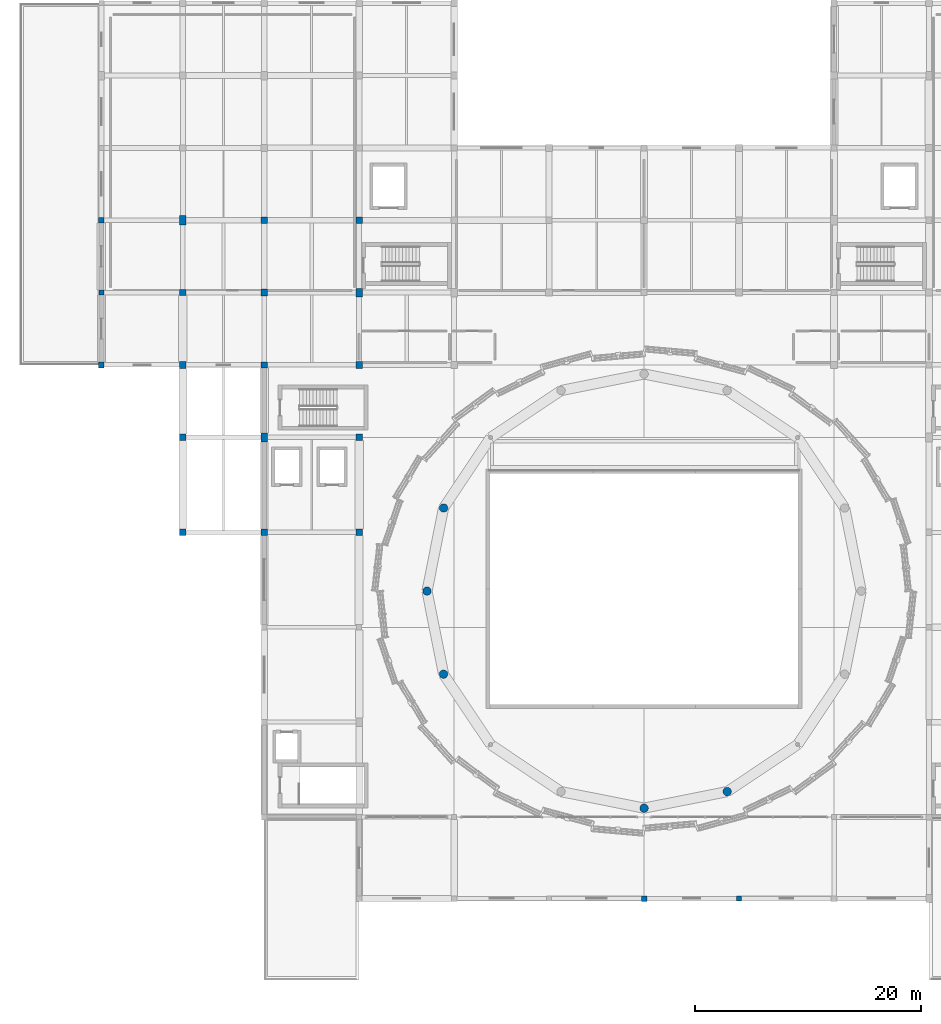
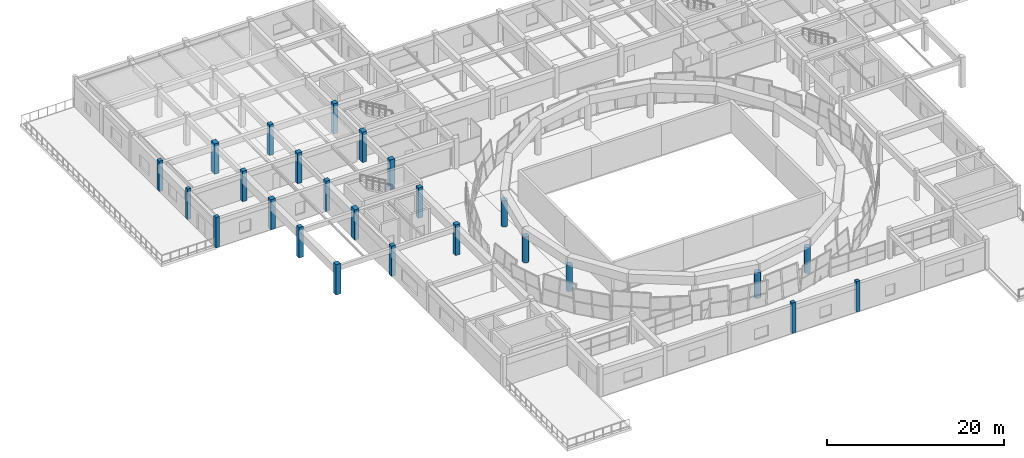
# One storey, part 2 of 40: 25 columns.
"""IFC4 building model written with IfcOpenShell, lengths in metres."""

from ifc_helpers import new_model, si_unit, direction, frame, origin, origin_2d, place, context, subcontext, project, spatial, rectangle, circle, extrude, material, material_profile, profile_set, type_object, element, save


model = new_model("IFC4")

# Units and contexts
model_context = context("Model", 3, precision=1e-05, world=origin(), true_north=direction((0.0, 1.0)))
body_context = subcontext(model_context, "Body", "Model", "MODEL_VIEW")
ifc_project = project(units=[si_unit("LENGTHUNIT", "METRE"), si_unit("AREAUNIT", "SQUARE_METRE"), si_unit("VOLUMEUNIT", "CUBIC_METRE"), si_unit("PLANEANGLEUNIT", "RADIAN"), si_unit("MASSUNIT", "GRAM", prefix="KILO")], contexts=[model_context])

# Site, building, storey
site_placement = place(None, origin())
site = spatial("IfcSite", under=ifc_project, at=site_placement, CompositionType="ELEMENT")
building_placement = place(site_placement, origin())
building = spatial("IfcBuilding", under=site, at=building_placement, Name="Korsvaeld Concert Hall", CompositionType="ELEMENT")
storey_placement = place(building_placement, frame((0.0, 0.0, 13.199951171875)))
storey = spatial("IfcBuildingStorey", under=building, at=storey_placement, Name="L03", CompositionType="ELEMENT", Elevation=13.199951171875)

# Columns
ifc_material = material(Name="Concrete C40/50", Category="concrete")
ifc_material_profile_1 = material_profile(ifc_material, circle(Radius=0.375, at=origin_2d()), Name="RC D750")
ifc_profile_set_1 = profile_set([ifc_material_profile_1], Name="Concrete C40/50")
column_type_1 = type_object("IfcColumnType", Name="COL-DRUM-D750", PredefinedType="COLUMN", material=ifc_profile_set_1)
for number, where, z_axis, x_axis, name in (
    (1, (66.261474609375, 70.547607421875, 0.0), (0.0, 0.0, 1.0), (1.0, 0.0, 0.0), "Drum column D08 L03"),
    (2, (64.800048828125, 63.199951171875, 0.0), (0.0, 0.0, 1.0), (1.0, 0.0, 0.0), "Drum column D09 L03"),
    (3, (66.261474609375, 55.8525390625, 0.0), (0.0, 0.0, 1.0), (1.0, 0.0, 0.0), "Drum column D10 L03"),
    (4, (84.0, 44.0, 0.0), (0.0, 0.0, 1.0), (1.0, 0.0, 0.0), "Drum column D13 L03"),
    (5, (91.347412109375, 45.46142578125, 0.0), (0.0, 0.0, 1.0), (1.0, 0.0, 0.0), "Drum column D14 L03"),
):
    element("IfcColumn", number, at=place(storey_placement, frame(where, z_axis=z_axis, x_axis=x_axis)), inside=storey, type_object=column_type_1, Name=name, PredefinedType="COLUMN", context=body_context, shape_type="SweptSolid", body=[
        extrude(circle(Radius=0.375, at=origin_2d()), origin(), (0.0, 0.0, 1.0), 3.60009765625),
    ])
ifc_material_profile_2 = material_profile(ifc_material, rectangle(XDim=0.449951171875, YDim=0.449951171875, at=origin_2d()), Name="RC 450x450")
ifc_profile_set_2 = profile_set([ifc_material_profile_2], Name="Concrete C40/50")
column_type_2 = type_object("IfcColumnType", Name="COL-RC-450x450", PredefinedType="COLUMN", material=ifc_profile_set_2)
for number, where, z_axis, x_axis, name in (
    (6, (92.39990234375, 36.0, 0.0), (0.0, 0.0, 1.0), (1.0, 0.0, 0.0), "Column 13/F L03"),
    (7, (36.0, 89.60009765625, 0.0), (0.0, 0.0, 1.0), (1.0, 0.0, 0.0), "Column 6/N L03"),
):
    element("IfcColumn", number, at=place(storey_placement, frame(where, z_axis=z_axis, x_axis=x_axis)), inside=storey, type_object=column_type_2, Name=name, PredefinedType="COLUMN", context=body_context, shape_type="SweptSolid", body=[
        extrude(rectangle(XDim=0.449951171875, YDim=0.449951171875, at=origin_2d()), origin(), (0.0, 0.0, 1.0), 4.199951171875),
    ])
ifc_material_profile_3 = material_profile(ifc_material, rectangle(XDim=0.5, YDim=0.5, at=origin_2d()), Name="RC 500x500")
ifc_profile_set_3 = profile_set([ifc_material_profile_3], Name="Concrete C40/50")
column_type_3 = type_object("IfcColumnType", Name="COL-RC-500x500", PredefinedType="COLUMN", material=ifc_profile_set_3)
for number, where, z_axis, x_axis, name in (
    (8, (84.0, 36.0, 0.0), (0.0, 0.0, 1.0), (1.0, 0.0, 0.0), "Column 12/F L03"),
    (9, (36.0, 83.199951171875, 0.0), (0.0, 0.0, 1.0), (1.0, 0.0, 0.0), "Column 6/M L03"),
    (10, (36.0, 96.0, 0.0), (0.0, 0.0, 1.0), (1.0, 0.0, 0.0), "Column 6/P L03"),
):
    element("IfcColumn", number, at=place(storey_placement, frame(where, z_axis=z_axis, x_axis=x_axis)), inside=storey, type_object=column_type_3, Name=name, PredefinedType="COLUMN", context=body_context, shape_type="SweptSolid", body=[
        extrude(rectangle(XDim=0.5, YDim=0.5, at=origin_2d()), origin(), (0.0, 0.0, 1.0), 4.199951171875),
    ])
ifc_material_profile_4 = material_profile(ifc_material, rectangle(XDim=0.550048828125, YDim=0.550048828125, at=origin_2d()), Name="RC 550x550")
ifc_profile_set_4 = profile_set([ifc_material_profile_4], Name="Concrete C40/50")
column_type_4 = type_object("IfcColumnType", Name="COL-RC-550x550", PredefinedType="COLUMN", material=ifc_profile_set_4)
for number, where, z_axis, x_axis, name in (
    (11, (43.199951171875, 76.800048828125, 0.0), (0.0, 0.0, 1.0), (1.0, 0.0, 0.0), "Column 7/L L03"),
    (12, (43.199951171875, 89.60009765625, 0.0), (0.0, 0.0, 1.0), (1.0, 0.0, 0.0), "Column 7/N L03"),
    (13, (50.39990234375, 68.39990234375, 0.0), (0.0, 0.0, 1.0), (1.0, 0.0, 0.0), "Column 8/K L03"),
    (14, (50.39990234375, 83.199951171875, 0.0), (0.0, 0.0, 1.0), (1.0, 0.0, 0.0), "Column 8/M L03"),
    (15, (50.39990234375, 96.0, 0.0), (0.0, 0.0, 1.0), (1.0, 0.0, 0.0), "Column 8/P L03"),
    (16, (58.800048828125, 76.800048828125, 0.0), (0.0, 0.0, 1.0), (1.0, 0.0, 0.0), "Column 9/L L03"),
):
    element("IfcColumn", number, at=place(storey_placement, frame(where, z_axis=z_axis, x_axis=x_axis)), inside=storey, type_object=column_type_4, Name=name, PredefinedType="COLUMN", context=body_context, shape_type="SweptSolid", body=[
        extrude(rectangle(XDim=0.550048828125, YDim=0.550048828125, at=origin_2d()), origin(), (0.0, 0.0, 1.0), 4.199951171875),
    ])
ifc_material_profile_5 = material_profile(ifc_material, rectangle(XDim=0.550048828125, YDim=0.75, at=origin_2d()), Name="RC 550x750")
ifc_profile_set_5 = profile_set([ifc_material_profile_5], Name="Concrete C40/50")
column_type_5 = type_object("IfcColumnType", Name="COL-RC-550x750", PredefinedType="COLUMN", material=ifc_profile_set_5)
column_placement = place(storey_placement, frame((58.800048828125, 89.60009765625, 0.0), z_axis=(0.0, 0.0, 1.0), x_axis=(1.0, 0.0, 0.0)))
element("IfcColumn", 17, at=column_placement, inside=storey, type_object=column_type_5, Name="Column 9/N L03", PredefinedType="COLUMN", context=body_context, shape_type="SweptSolid", body=[
    extrude(rectangle(XDim=0.550048828125, YDim=0.75, at=origin_2d()), origin(), (0.0, 0.0, 1.0), 4.199951171875),
])
ifc_material_profile_6 = material_profile(ifc_material, rectangle(XDim=0.60009765625, YDim=0.60009765625, at=origin_2d()), Name="RC 600x600")
ifc_profile_set_6 = profile_set([ifc_material_profile_6], Name="Concrete C40/50")
column_type_6 = type_object("IfcColumnType", Name="COL-RC-600x600", PredefinedType="COLUMN", material=ifc_profile_set_6)
for number, where, z_axis, x_axis, name in (
    (18, (43.199951171875, 68.39990234375, 0.0), (0.0, 0.0, 1.0), (1.0, 0.0, 0.0), "Column 7/K L03"),
    (19, (43.199951171875, 83.199951171875, 0.0), (0.0, 0.0, 1.0), (1.0, 0.0, 0.0), "Column 7/M L03"),
    (20, (50.39990234375, 89.60009765625, 0.0), (0.0, 0.0, 1.0), (1.0, 0.0, 0.0), "Column 8/N L03"),
    (21, (58.800048828125, 68.39990234375, 0.0), (0.0, 0.0, 1.0), (1.0, 0.0, 0.0), "Column 9/K L03"),
    (22, (58.800048828125, 83.199951171875, 0.0), (0.0, 0.0, 1.0), (1.0, 0.0, 0.0), "Column 9/M L03"),
    (23, (58.800048828125, 96.0, 0.0), (0.0, 0.0, 1.0), (1.0, 0.0, 0.0), "Column 9/P L03"),
):
    element("IfcColumn", number, at=place(storey_placement, frame(where, z_axis=z_axis, x_axis=x_axis)), inside=storey, type_object=column_type_6, Name=name, PredefinedType="COLUMN", context=body_context, shape_type="SweptSolid", body=[
        extrude(rectangle(XDim=0.60009765625, YDim=0.60009765625, at=origin_2d()), origin(), (0.0, 0.0, 1.0), 4.199951171875),
    ])
ifc_material_profile_7 = material_profile(ifc_material, rectangle(XDim=0.60009765625, YDim=0.800048828125, at=origin_2d()), Name="RC 600x800")
ifc_profile_set_7 = profile_set([ifc_material_profile_7], Name="Concrete C40/50")
column_type_7 = type_object("IfcColumnType", Name="COL-RC-600x800", PredefinedType="COLUMN", material=ifc_profile_set_7)
for number, where, z_axis, x_axis, name in (
    (24, (43.199951171875, 96.0, 0.0), (0.0, 0.0, 1.0), (1.0, 0.0, 0.0), "Column 7/P L03"),
    (25, (50.39990234375, 76.800048828125, 0.0), (0.0, 0.0, 1.0), (1.0, 0.0, 0.0), "Column 8/L L03"),
):
    element("IfcColumn", number, at=place(storey_placement, frame(where, z_axis=z_axis, x_axis=x_axis)), inside=storey, type_object=column_type_7, Name=name, PredefinedType="COLUMN", context=body_context, shape_type="SweptSolid", body=[
        extrude(rectangle(XDim=0.60009765625, YDim=0.800048828125, at=origin_2d()), origin(), (0.0, 0.0, 1.0), 4.199951171875),
    ])

save(model, "model.ifc")
